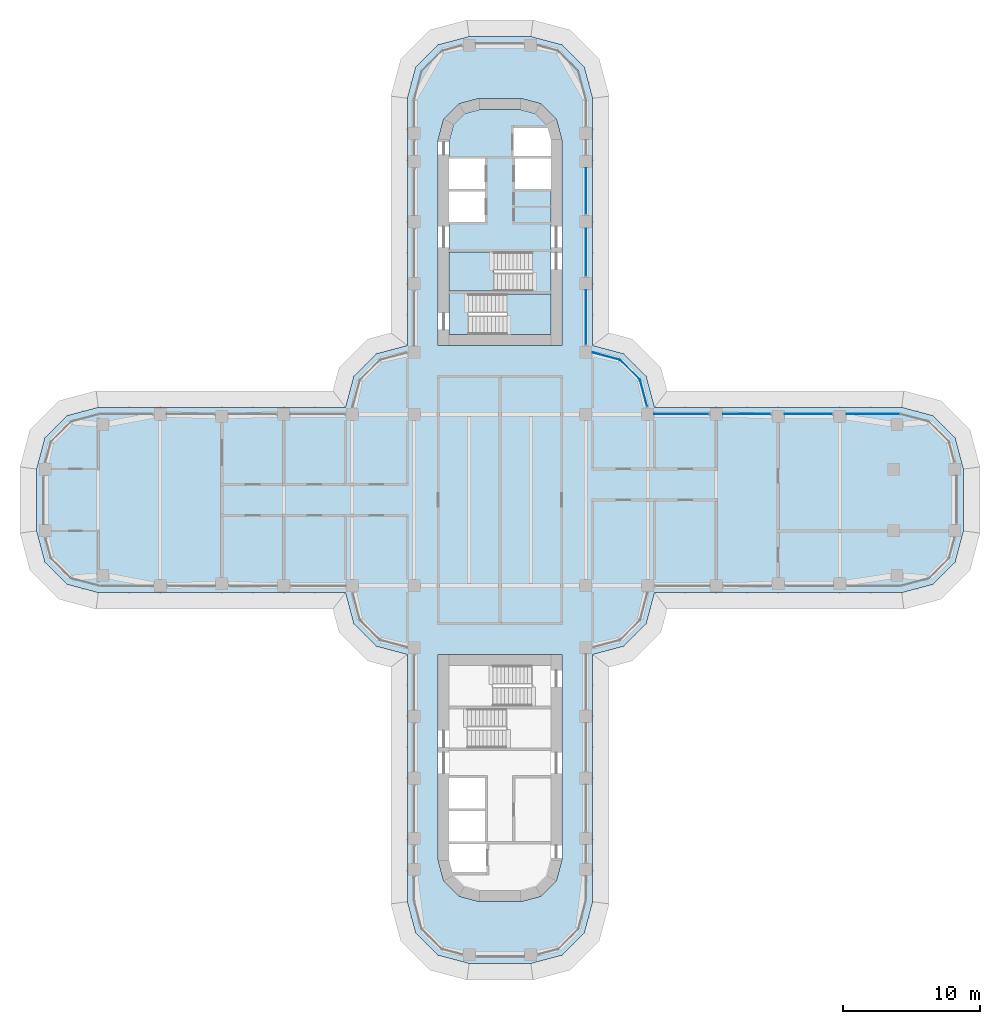
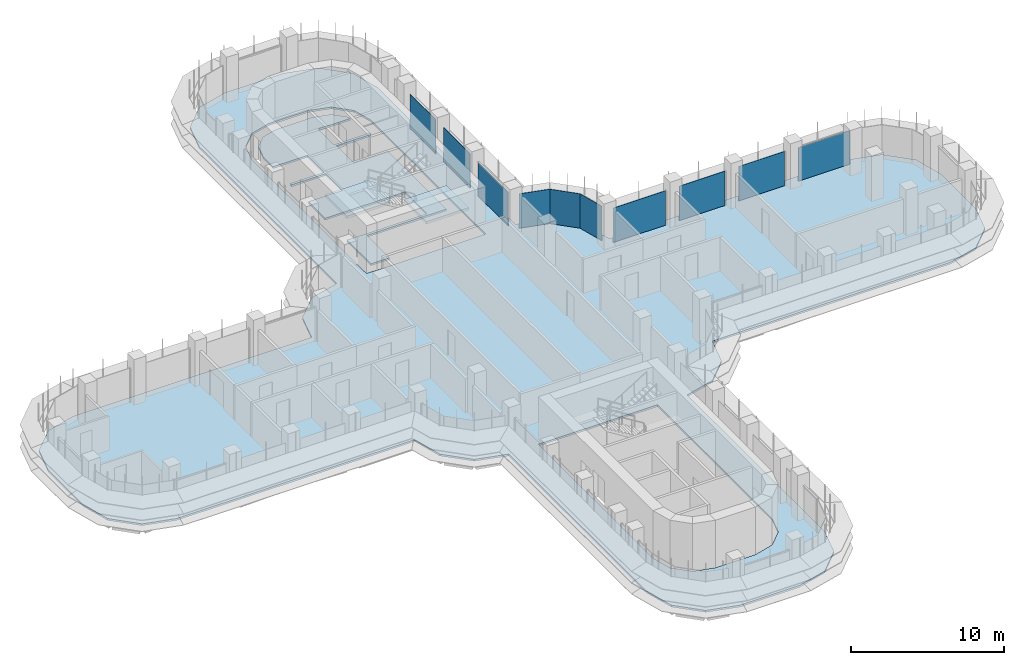
# One storey, part 15 of 23: 10 plates, 4 slabs, 7 elements without a shape of their own.
"""IFC4 building model written with IfcOpenShell, lengths in metres."""

from ifc_helpers import new_model, si_unit, direction, frame, origin, place, context, subcontext, project, spatial, polyline, outline, extrude, source, transform, mapped, material, layer, layer_set, type_object, element, aggregate, save


model = new_model("IFC4")

# Units and contexts
model_context = context("Model", 3, precision=1e-05, world=origin(), true_north=direction((0.0, 1.0)))
body_context = subcontext(model_context, "Body", "Model", "MODEL_VIEW")
ifc_project = project(units=[si_unit("LENGTHUNIT", "METRE"), si_unit("AREAUNIT", "SQUARE_METRE"), si_unit("VOLUMEUNIT", "CUBIC_METRE"), si_unit("PLANEANGLEUNIT", "RADIAN"), si_unit("MASSUNIT", "GRAM", prefix="KILO")], contexts=[model_context])

# Site, building, storey
site_placement = place(None, origin())
site = spatial("IfcSite", under=ifc_project, at=site_placement, CompositionType="ELEMENT")
building_placement = place(site_placement, origin())
building = spatial("IfcBuilding", under=site, at=building_placement, Name="Zarbagh Exchange Tower", CompositionType="ELEMENT")
storey_placement = place(building_placement, frame((0.0, 0.0, 86.60009765625)))
storey = spatial("IfcBuildingStorey", under=building, at=storey_placement, Name="L19", CompositionType="ELEMENT", Elevation=86.60009765625)

# Slabs
ifc_material_1 = material(Name="Concrete C40/50", Category="concrete")
ifc_layer_1 = layer(ifc_material_1, 0.14990234375)
ifc_layer_set_1 = layer_set([ifc_layer_1], Name="Composite floor slab 150 C40/50")
slab_type_1 = type_object("IfcSlabType", Name="Composite floor slab 150 C40/50", PredefinedType="FLOOR", material=ifc_layer_set_1)
slab_1_placement = place(storey_placement, frame((0.0, 0.0, -0.150146484375)))
element("IfcSlab", 1, at=slab_1_placement, inside=storey, type_object=slab_type_1, Name="S5 composite floor slab", PredefinedType="FLOOR", context=body_context, shape_type="SweptSolid", body=[
    extrude(outline(polyline([(-2.25, -33.75), (-4.5, -33.147216796875), (-6.147216796875, -31.5), (-6.75, -29.25), (-6.75, -11.25), (-9.0, -10.647216796875), (-10.647216796875, -9.0), (-11.25, -6.75), (-29.25, -6.75), (-31.5, -6.147216796875), (-33.147216796875, -4.5), (-33.75, -2.25), (-33.75, 2.25), (-33.147216796875, 4.5), (-31.5, 6.147216796875), (-29.25, 6.75), (-11.25, 6.75), (-10.647216796875, 9.0), (-9.0, 10.647216796875), (-6.75, 11.25), (-6.75, 29.25), (-6.147216796875, 31.5), (-4.5, 33.147216796875), (-2.25, 33.75), (2.25, 33.75), (4.5, 33.147216796875), (6.147216796875, 31.5), (6.75, 29.25), (6.75, 11.25), (9.0, 10.647216796875), (10.647216796875, 9.0), (11.25, 6.75), (29.25, 6.75), (31.5, 6.147216796875), (33.147216796875, 4.5), (33.75, 2.25), (33.75, -2.25), (33.147216796875, -4.5), (31.5, -6.147216796875), (29.25, -6.75), (11.25, -6.75), (10.647216796875, -9.0), (9.0, -10.647216796875), (6.75, -11.25), (6.75, -29.25), (6.147216796875, -31.5), (4.5, -33.147216796875), (2.25, -33.75), (-2.25, -33.75)]), holes=[polyline([(4.5, 11.25), (4.5, 26.25), (4.09814453125, 27.75), (3.0, 28.84814453125), (1.5, 29.25), (-1.5, 29.25), (-3.0, 28.84814453125), (-4.09814453125, 27.75), (-4.5, 26.25), (-4.5, 11.25), (4.5, 11.25)]), polyline([(-1.5, -29.25), (1.5, -29.25), (3.0, -28.84814453125), (4.09814453125, -27.75), (4.5, -26.25), (4.5, -11.25), (-4.5, -11.25), (-4.5, -26.25), (-4.09814453125, -27.75), (-3.0, -28.84814453125), (-1.5, -29.25)])]), origin(), (0.0, 0.0, 1.0), 0.150146484375),
])
ifc_layer_2 = layer(ifc_material_1, 0.14990234375)
ifc_layer_set_2 = layer_set([ifc_layer_2], Name="Core floor slab 150 C40/50")
slab_type_2 = type_object("IfcSlabType", Name="Core floor slab 150 C40/50", PredefinedType="FLOOR", material=ifc_layer_set_2)
slab_2_placement = place(storey_placement, frame((0.0, 0.0, -0.150146484375)))
element("IfcSlab", 2, at=slab_2_placement, inside=storey, type_object=slab_type_2, Name="S17 core N", PredefinedType="FLOOR", context=body_context, shape_type="SweptSolid", body=[
    extrude(outline(polyline([(-3.699951171875, 12.050048828125), (-3.699951171875, 15.199951171875), (2.35009765625, 15.199951171875), (2.35009765625, 18.050048828125), (-3.699951171875, 18.050048828125), (-3.699951171875, 20.25), (-1.10009765625, 20.25), (-1.10009765625, 22.449951171875), (-3.699951171875, 22.449951171875), (-3.699951171875, 22.64990234375), (-1.10009765625, 22.64990234375), (-1.10009765625, 24.85009765625), (-3.699951171875, 24.85009765625), (-3.699951171875, 26.144775390625), (-3.380859375, 27.3359375), (-2.5859375, 28.130859375), (-1.394775390625, 28.449951171875), (1.394775390625, 28.449951171875), (2.5859375, 28.130859375), (3.380859375, 27.3359375), (3.646484375, 26.3447265625), (3.444091796875, 27.10009765625), (1.0, 27.10009765625), (1.0, 25.050048828125), (3.699951171875, 25.050048828125), (3.699951171875, 24.85009765625), (1.10009765625, 24.85009765625), (1.10009765625, 22.64990234375), (3.699951171875, 22.64990234375), (3.699951171875, 15.0), (-2.300048828125, 15.0), (-2.300048828125, 12.050048828125), (-3.699951171875, 12.050048828125)])), origin(), (0.0, 0.0, 1.0), 0.150146484375),
])

# Stair, slab
stair_type = type_object("IfcStairType", Name="Exit stair two-flight half-turn", PredefinedType="HALF_TURN_STAIR", material=ifc_material_1)
stair_1_placement = place(storey_placement, origin())
stair_1 = element("IfcStair", 3, at=stair_1_placement, inside=storey, type_object=stair_type, Name="exit stair ST1", PredefinedType="HALF_TURN_STAIR")
ifc_layer_3 = layer(ifc_material_1, 0.199951171875)
ifc_layer_set_3 = layer_set([ifc_layer_3], Name="Stair landing 200 mm")
slab_type_3 = type_object("IfcSlabType", Name="Stair landing 200 mm", PredefinedType="LANDING", material=ifc_layer_set_3)
slab_3_placement = place(storey_placement, frame((0.0, 0.0, 1.699951171875)))
slab_3 = element("IfcSlab", 4, at=slab_3_placement, type_object=slab_type_3, Name="ST1 landing 1", PredefinedType="LANDING", context=body_context, shape_type="SweptSolid", body=[
    extrude(outline(polyline([(-0.449951171875, 18.050048828125), (-3.699951171875, 18.050048828125), (-3.699951171875, 15.199951171875), (-0.449951171875, 15.199951171875), (-0.449951171875, 18.050048828125)])), origin(), (0.0, 0.0, 1.0), 0.199951171875),
])
aggregate(stair_1, [slab_3])

stair_2_placement = place(storey_placement, origin())
stair_2 = element("IfcStair", 5, at=stair_2_placement, inside=storey, type_object=stair_type, Name="exit stair ST2", PredefinedType="HALF_TURN_STAIR")
slab_4_placement = place(storey_placement, frame((0.0, 0.0, 1.699951171875)))
slab_4 = element("IfcSlab", 6, at=slab_4_placement, type_object=slab_type_3, Name="ST2 landing 1", PredefinedType="LANDING", context=body_context, shape_type="SweptSolid", body=[
    extrude(outline(polyline([(0.5, 12.050048828125), (3.699951171875, 12.050048828125), (3.699951171875, 15.0), (0.5, 15.0), (0.5, 12.050048828125)])), origin(), (0.0, 0.0, 1.0), 0.199951171875),
])
aggregate(stair_2, [slab_4])

# Curtain wall, plate
ifc_material_2 = material(Name="Anodised aluminium frame and glazing", Category="aluminium")
curtain_wall_type = type_object("IfcCurtainWallType", Name="CWA Ribbon glazing, lower zones", PredefinedType="NOTDEFINED", material=ifc_material_2)
curtain_wall_1_placement = place(storey_placement, origin())
curtain_wall_1 = element("IfcCurtainWall", 7, at=curtain_wall_1_placement, inside=storey, type_object=curtain_wall_type, Name="CWA18 curtain wall", PredefinedType="NOTDEFINED")
ifc_material_3 = material(Name="Low-e double glazed unit, 6+12+6 mm")
ifc_layer_4 = layer(ifc_material_3, 0.028076171875)
ifc_layer_set_4 = layer_set([ifc_layer_4], Name="PAA Glazing panel, Low-e double glazed unit, 6+12+6 mm")
plate_type = type_object("IfcPlateType", Name="PAA Glazing panel, Low-e double glazed unit, 6+12+6 mm", PredefinedType="CURTAIN_PANEL", material=ifc_layer_set_4)
shared_shape_1 = source(origin(), body_context, "Body", "SweptSolid", [
    extrude(outline(polyline([(0.0, -0.013916015625), (2.061279296875, -0.013916015625), (2.061279296875, 0.013916015625), (0.0, 0.013916015625), (0.0, -0.013916015625)])), origin(), (0.0, 0.0, 1.0), 2.75),
])
placement = place(storey_placement, origin())
plate_1 = element("IfcPlate", 8, at=placement, type_object=plate_type, Name="CWA18 glazing panel 1.1", PredefinedType="CURTAIN_PANEL", context=body_context, shape_type="MappedRepresentation", body=[
    mapped(shared_shape_1, transform((10.19873046875, 8.7412109375, 0.0), x_axis=(-0.707106781187, 0.707106781187, 0.0), y_axis=(-0.707106781187, -0.707106781187, 0.0), z_axis=(0.0, 0.0, 1.0))),
])
aggregate(curtain_wall_1, [plate_1])

curtain_wall_2_placement = place(storey_placement, origin())
curtain_wall_2 = element("IfcCurtainWall", 9, at=curtain_wall_2_placement, inside=storey, type_object=curtain_wall_type, Name="CWA20 curtain wall", PredefinedType="NOTDEFINED")
shared_shape_2 = source(origin(), body_context, "Body", "SweptSolid", [
    extrude(outline(polyline([(0.0, -0.013916015625), (3.360107421875, -0.013916015625), (3.360107421875, 0.013916015625), (0.0, 0.013916015625), (0.0, -0.013916015625)])), origin(), (0.0, 0.0, 1.0), 2.75),
])
plate_2 = element("IfcPlate", 10, at=placement, type_object=plate_type, Name="CWA20 glazing panel 3.1", PredefinedType="CURTAIN_PANEL", context=body_context, shape_type="MappedRepresentation", body=[
    mapped(shared_shape_2, transform((6.25, 20.800048828125, 0.0), x_axis=(0.0, 1.0, 0.0), y_axis=(-1.0, 0.0, 0.0), z_axis=(0.0, 0.0, 1.0))),
])

# Curtain wall, plates
curtain_wall_3_placement = place(storey_placement, origin())
curtain_wall_3 = element("IfcCurtainWall", 11, at=curtain_wall_3_placement, inside=storey, type_object=curtain_wall_type, Name="CWA16 curtain wall", PredefinedType="NOTDEFINED")
shared_shape_3 = source(origin(), body_context, "Body", "SweptSolid", [
    extrude(outline(polyline([(0.0, -0.013916015625), (3.4599609375, -0.013916015625), (3.4599609375, 0.013916015625), (0.0, 0.013916015625), (0.0, -0.013916015625)])), origin(), (0.0, 0.0, 1.0), 2.75),
])
plate_3 = element("IfcPlate", 12, at=placement, type_object=plate_type, Name="CWA16 glazing panel 2.1", PredefinedType="CURTAIN_PANEL", context=body_context, shape_type="MappedRepresentation", body=[
    mapped(shared_shape_3, transform((24.199951171875, 6.25, 0.0), x_axis=(-1.0, 0.0, 0.0), y_axis=(0.0, -1.0, 0.0), z_axis=(0.0, 0.0, 1.0))),
])
plate_4 = element("IfcPlate", 13, at=placement, type_object=plate_type, Name="CWA16 glazing panel 3.1", PredefinedType="CURTAIN_PANEL", context=body_context, shape_type="MappedRepresentation", body=[
    mapped(shared_shape_3, transform((19.699951171875, 6.25, 0.0), x_axis=(-1.0, 0.0, 0.0), y_axis=(0.0, -1.0, 0.0), z_axis=(0.0, 0.0, 1.0))),
])

# Plate
plate_5 = element("IfcPlate", 14, at=placement, type_object=plate_type, Name="CWA20 glazing panel 2.1", PredefinedType="CURTAIN_PANEL", context=body_context, shape_type="MappedRepresentation", body=[
    mapped(shared_shape_3, transform((6.25, 16.300048828125, 0.0), x_axis=(0.0, 1.0, 0.0), y_axis=(-1.0, 0.0, 0.0), z_axis=(0.0, 0.0, 1.0))),
])

shared_shape_4 = source(origin(), body_context, "Body", "SweptSolid", [
    extrude(outline(polyline([(0.0, -0.013916015625), (3.9599609375, -0.013916015625), (3.9599609375, 0.013916015625), (0.0, 0.013916015625), (0.0, -0.013916015625)])), origin(), (0.0, 0.0, 1.0), 2.75),
])
plate_6 = element("IfcPlate", 15, at=placement, type_object=plate_type, Name="CWA16 glazing panel 4.1", PredefinedType="CURTAIN_PANEL", context=body_context, shape_type="MappedRepresentation", body=[
    mapped(shared_shape_4, transform((15.199951171875, 6.25, 0.0), x_axis=(-1.0, 0.0, 0.0), y_axis=(0.0, -1.0, 0.0), z_axis=(0.0, 0.0, 1.0))),
])

# Curtain wall, plate
curtain_wall_4_placement = place(storey_placement, origin())
curtain_wall_4 = element("IfcCurtainWall", 16, at=curtain_wall_4_placement, inside=storey, type_object=curtain_wall_type, Name="CWA17 curtain wall", PredefinedType="NOTDEFINED")
shared_shape_5 = source(origin(), body_context, "Body", "SweptSolid", [
    extrude(outline(polyline([(0.0, -0.013916015625), (2.01171875, -0.013916015625), (2.01171875, 0.013916015625), (0.0, 0.013916015625), (0.0, -0.013916015625)])), origin(), (0.0, 0.0, 1.0), 2.75),
])
plate_7 = element("IfcPlate", 17, at=placement, type_object=plate_type, Name="CWA17 glazing panel 1.1", PredefinedType="CURTAIN_PANEL", context=body_context, shape_type="MappedRepresentation", body=[
    mapped(shared_shape_5, transform((10.719482421875, 6.7978515625, 0.0), x_axis=(-0.258824779902, 0.965924289636, 0.0), y_axis=(-0.965924289636, -0.258824779902, 0.0), z_axis=(0.0, 0.0, 1.0))),
])
aggregate(curtain_wall_4, [plate_7])

curtain_wall_5_placement = place(storey_placement, origin())
curtain_wall_5 = element("IfcCurtainWall", 18, at=curtain_wall_5_placement, inside=storey, type_object=curtain_wall_type, Name="CWA19 curtain wall", PredefinedType="NOTDEFINED")
shared_shape_6 = source(origin(), body_context, "Body", "SweptSolid", [
    extrude(outline(polyline([(0.0, -0.013916015625), (2.07177734375, -0.013916015625), (2.07177734375, 0.013916015625), (0.0, 0.013916015625), (0.0, -0.013916015625)])), origin(), (0.0, 0.0, 1.0), 2.75),
])
plate_8 = element("IfcPlate", 19, at=placement, type_object=plate_type, Name="CWA19 glazing panel 1.1", PredefinedType="CURTAIN_PANEL", context=body_context, shape_type="MappedRepresentation", body=[
    mapped(shared_shape_6, transform((8.7412109375, 10.19873046875, 0.0), x_axis=(-0.965924289636, 0.258824779902, 0.0), y_axis=(-0.258824779902, -0.965924289636, 0.0), z_axis=(0.0, 0.0, 1.0))),
])
aggregate(curtain_wall_5, [plate_8])

# Plate
shared_shape_7 = source(origin(), body_context, "Body", "SweptSolid", [
    extrude(outline(polyline([(0.0, -0.013916015625), (3.9599609375, -0.013916015625), (3.9599609375, 0.013916015625), (0.0, 0.013916015625), (0.0, -0.013916015625)])), origin(), (0.0, 0.0, 1.0), 2.68994140625),
])
plate_9 = element("IfcPlate", 20, at=placement, type_object=plate_type, Name="CWA20 glazing panel 1.1", PredefinedType="CURTAIN_PANEL", context=body_context, shape_type="MappedRepresentation", body=[
    mapped(shared_shape_7, transform((6.25, 11.300048828125, 0.0), x_axis=(0.0, 1.0, 0.0), y_axis=(-1.0, 0.0, 0.0), z_axis=(0.0, 0.0, 1.0))),
])

aggregate(curtain_wall_2, [plate_9, plate_5, plate_2])

shared_shape_8 = source(origin(), body_context, "Body", "SweptSolid", [
    extrude(outline(polyline([(0.0, -0.013916015625), (3.88427734375, -0.013916015625), (3.88427734375, 0.013916015625), (0.0, 0.013916015625), (0.0, -0.013916015625)])), origin(), (0.0, 0.0, 1.0), 2.68994140625),
])
plate_10 = element("IfcPlate", 21, at=placement, type_object=plate_type, Name="CWA16 glazing panel 1.1", PredefinedType="CURTAIN_PANEL", context=body_context, shape_type="MappedRepresentation", body=[
    mapped(shared_shape_8, transform((29.124267578125, 6.25, 0.0), x_axis=(-1.0, 0.0, 0.0), y_axis=(0.0, -1.0, 0.0), z_axis=(0.0, 0.0, 1.0))),
])

aggregate(curtain_wall_3, [plate_10, plate_3, plate_4, plate_6])

save(model, "model.ifc")
